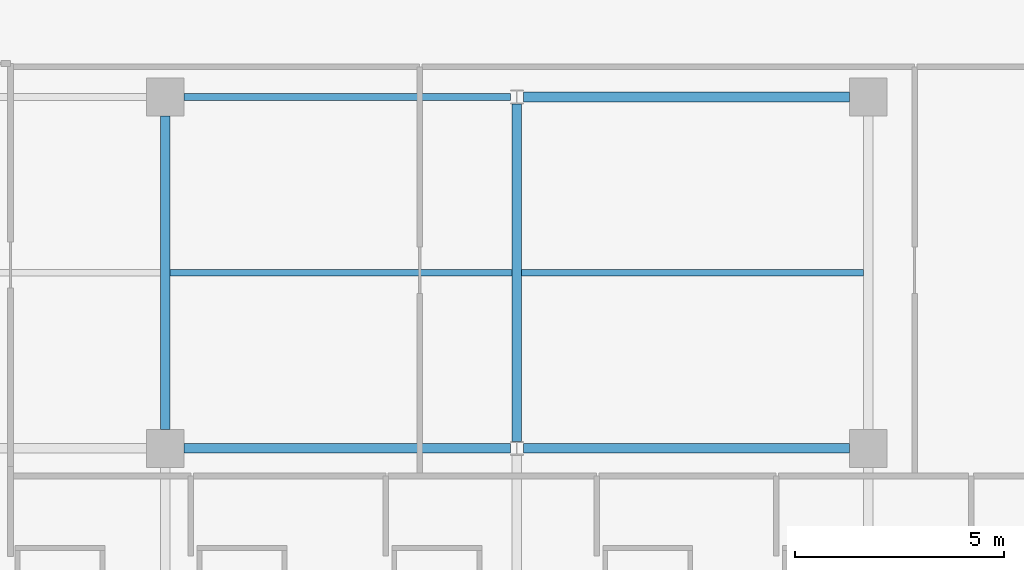
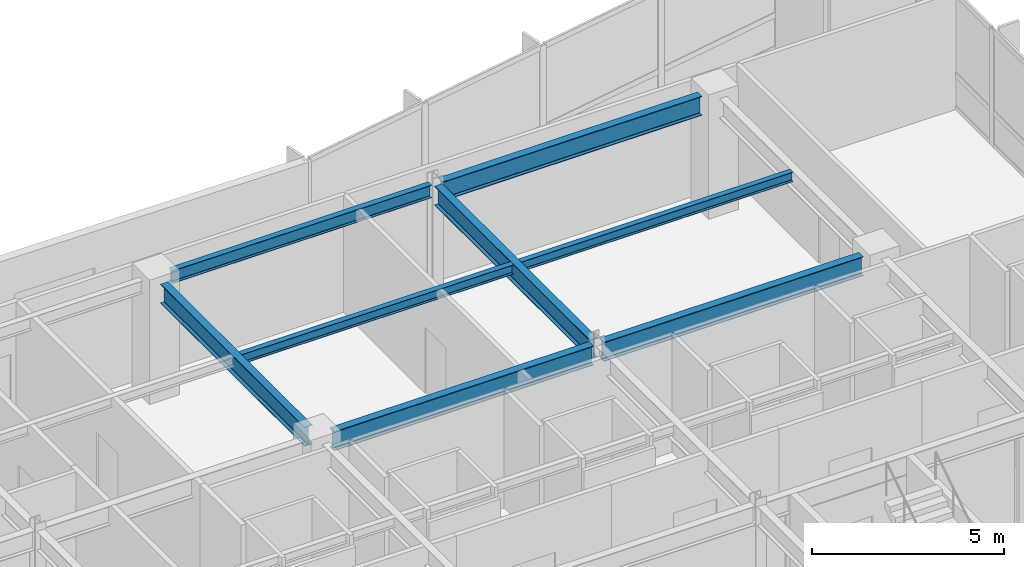
# One storey, part 6 of 20: 8 beams.
"""IFC4 building model written with IfcOpenShell, lengths in metres."""

from ifc_helpers import new_model, si_unit, direction, frame, origin, origin_2d, place, context, subcontext, project, spatial, i_section, extrude, material, material_profile, profile_set, type_object, element, save


model = new_model("IFC4")

# Units and contexts
model_context = context("Model", 3, precision=1e-05, world=origin(), true_north=direction((0.0, 1.0)))
body_context = subcontext(model_context, "Body", "Model", "MODEL_VIEW")
ifc_project = project(units=[si_unit("LENGTHUNIT", "METRE"), si_unit("AREAUNIT", "SQUARE_METRE"), si_unit("VOLUMEUNIT", "CUBIC_METRE"), si_unit("PLANEANGLEUNIT", "RADIAN"), si_unit("MASSUNIT", "GRAM", prefix="KILO")], contexts=[model_context])

# Site, building, storey
site_placement = place(None, origin())
site = spatial("IfcSite", under=ifc_project, at=site_placement, CompositionType="ELEMENT")
building_placement = place(site_placement, origin())
building = spatial("IfcBuilding", under=site, at=building_placement, Name="Varnakote Quay Hospital", CompositionType="ELEMENT")
storey_placement = place(building_placement, frame((0.0, 0.0, 81.75)))
storey = spatial("IfcBuildingStorey", under=building, at=storey_placement, Name="L20", CompositionType="ELEMENT", Elevation=81.75)

# Beams
ifc_material_1 = material(Name="Structural steel AS/NZS 3679.1 Grade 350 L0 (fy 340 MPa)", Category="steel")
ifc_material_profile_1 = material_profile(ifc_material_1, i_section(OverallWidth=0.22900390625, OverallDepth=0.612060546875, WebThickness=0.011962890625, FlangeThickness=0.01953125, FilletRadius=0.013916015625, at=origin_2d()), Name="610UB125")
ifc_profile_set_1 = profile_set([ifc_material_profile_1], Name="Structural steel AS/NZS 3679.1 Grade 350 L0 (fy 340 MPa)")
beam_type_1 = type_object("IfcBeamType", Name="BM-STL-610UB125", PredefinedType="BEAM", material=ifc_profile_set_1)
for number, where, z_axis, x_axis, name in (
    (1, (34.050048828125, 20.39990234375, 3.404052734375), (1.0, 0.0, 0.0), (0.0, 1.0, 0.0), "L20 Primary Floor Beam"),
    (2, (42.155517578125, 20.39990234375, 3.404052734375), (1.0, 0.0, 0.0), (0.0, 1.0, 0.0), "L20 Primary Floor Beam"),
    (3, (42.155517578125, 28.800048828125, 3.404052734375), (1.0, 0.0, 0.0), (0.0, 1.0, 0.0), "L20 Primary Floor Beam"),
):
    element("IfcBeam", number, at=place(storey_placement, frame(where, z_axis=z_axis, x_axis=x_axis)), inside=storey, type_object=beam_type_1, Name=name, PredefinedType="BEAM", context=body_context, shape_type="SweptSolid", body=[
        extrude(i_section(OverallWidth=0.22900390625, OverallDepth=0.612060546875, WebThickness=0.011962890625, FlangeThickness=0.01953125, FilletRadius=0.013916015625, at=origin_2d()), origin(), (0.0, 0.0, 1.0), 7.79443359375),
    ])
beam_1_placement = place(storey_placement, frame((33.60009765625, 20.85009765625, 3.404052734375), z_axis=(0.0, 1.0, 0.0), x_axis=(-1.0, 0.0, 0.0)))
element("IfcBeam", 4, at=beam_1_placement, inside=storey, type_object=beam_type_1, Name="L20 Primary Tie Beam", PredefinedType="BEAM", context=body_context, shape_type="SweptSolid", body=[
    extrude(i_section(OverallWidth=0.22900390625, OverallDepth=0.612060546875, WebThickness=0.011962890625, FlangeThickness=0.01953125, FilletRadius=0.013916015625, at=origin_2d()), origin(), (0.0, 0.0, 1.0), 7.5),
])
beam_2_placement = place(storey_placement, frame((42.0, 20.5634765625, 3.404052734375), z_axis=(0.0, 1.0, 0.0), x_axis=(-1.0, 0.0, 0.0)))
element("IfcBeam", 5, at=beam_2_placement, inside=storey, type_object=beam_type_1, Name="L20 Primary Tie Beam", PredefinedType="BEAM", context=body_context, shape_type="SweptSolid", body=[
    extrude(i_section(OverallWidth=0.22900390625, OverallDepth=0.612060546875, WebThickness=0.011962890625, FlangeThickness=0.01953125, FilletRadius=0.013916015625, at=origin_2d()), origin(), (0.0, 0.0, 1.0), 8.072998046875),
])
ifc_material_2 = material(Name="Structural steel AS/NZS 3679.1 Grade 350 L0 (fy 340 MPa)", Category="steel")
ifc_material_profile_2 = material_profile(ifc_material_2, i_section(OverallWidth=0.1650390625, OverallDepth=0.303955078125, WebThickness=0.006103515625, FlangeThickness=0.01025390625, FilletRadius=0.011474609375, at=origin_2d()), Name="310UB40.4")
ifc_profile_set_2 = profile_set([ifc_material_profile_2], Name="Structural steel AS/NZS 3679.1 Grade 350 L0 (fy 340 MPa)")
beam_type_2 = type_object("IfcBeamType", Name="JST-STL-310UB40-4", PredefinedType="JOIST", material=ifc_profile_set_2)
for number, where, z_axis, x_axis, name in (
    (6, (33.714599609375, 24.60009765625, 3.55810546875), (1.0, 0.0, 0.0), (0.0, 1.0, 0.0), "L20 Composite Floor Joist"),
    (7, (42.114501953125, 24.60009765625, 3.55810546875), (1.0, 0.0, 0.0), (0.0, 1.0, 0.0), "L20 Composite Floor Joist"),
):
    element("IfcBeam", number, at=place(storey_placement, frame(where, z_axis=z_axis, x_axis=x_axis)), inside=storey, type_object=beam_type_2, Name=name, PredefinedType="JOIST", context=body_context, shape_type="SweptSolid", body=[
        extrude(i_section(OverallWidth=0.1650390625, OverallDepth=0.303955078125, WebThickness=0.006103515625, FlangeThickness=0.01025390625, FilletRadius=0.011474609375, at=origin_2d()), origin(), (0.0, 0.0, 1.0), 8.1708984375),
    ])
ifc_material_3 = material(Name="Structural steel AS/NZS 3679.1 Grade 350 L0 (fy 340 MPa)", Category="steel")
ifc_material_profile_3 = material_profile(ifc_material_3, i_section(OverallWidth=0.177978515625, OverallDepth=0.406005859375, WebThickness=0.0078125, FlangeThickness=0.0126953125, FilletRadius=0.011474609375, at=origin_2d()), Name="410UB59.7")
ifc_profile_set_3 = profile_set([ifc_material_profile_3], Name="Structural steel AS/NZS 3679.1 Grade 350 L0 (fy 340 MPa)")
beam_type_3 = type_object("IfcBeamType", Name="SPN-STL-410UB59-7", PredefinedType="SPANDREL", material=ifc_profile_set_3)
beam_3_placement = place(storey_placement, frame((34.050048828125, 28.800048828125, 3.507080078125), z_axis=(1.0, 0.0, 0.0), x_axis=(0.0, 1.0, 0.0)))
element("IfcBeam", 8, at=beam_3_placement, inside=storey, type_object=beam_type_3, Name="L20 Perimeter Spandrel Beam", PredefinedType="SPANDREL", context=body_context, shape_type="SweptSolid", body=[
    extrude(i_section(OverallWidth=0.177978515625, OverallDepth=0.406005859375, WebThickness=0.0078125, FlangeThickness=0.0126953125, FilletRadius=0.011474609375, at=origin_2d()), origin(), (0.0, 0.0, 1.0), 7.79443359375),
])

save(model, "model.ifc")
